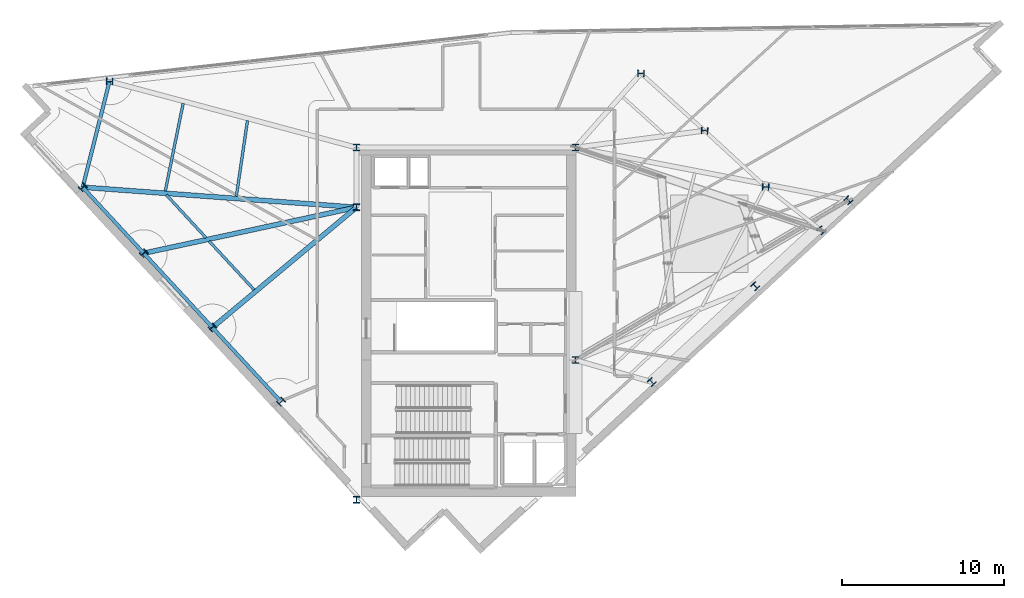
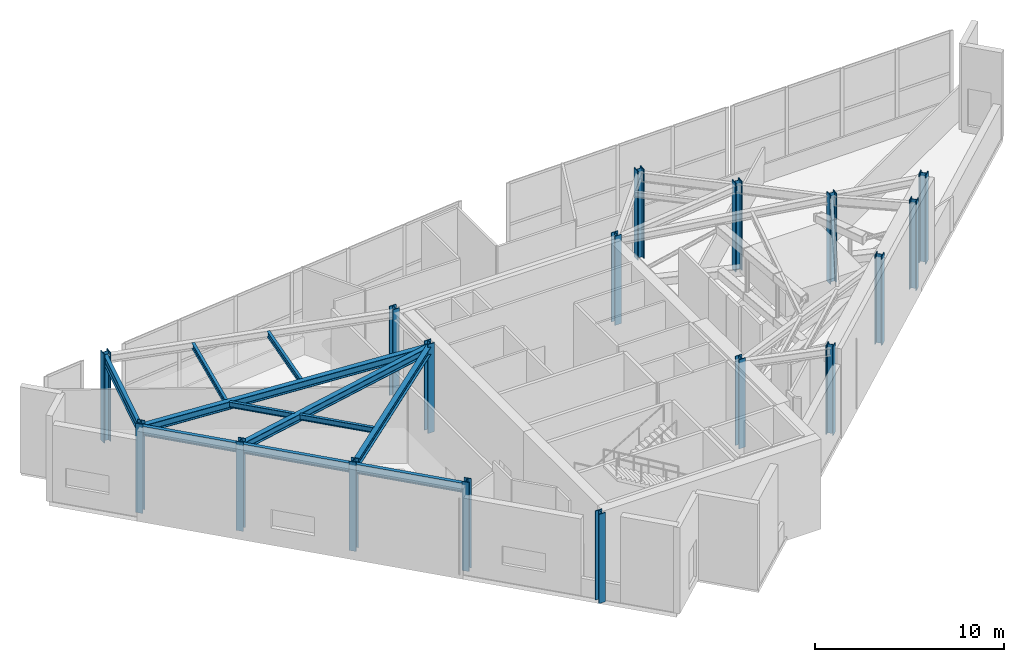
# One storey, part 1 of 15: 17 columns, 11 beams.
"""IFC4 building model written with IfcOpenShell, lengths in metres."""

from ifc_helpers import new_model, si_unit, direction, frame, origin, origin_2d, place, context, subcontext, project, spatial, i_section, extrude, material, material_profile, profile_set, type_object, element, save


model = new_model("IFC4")

# Units and contexts
model_context = context("Model", 3, precision=1e-05, world=origin(), true_north=direction((0.0, 1.0)))
body_context = subcontext(model_context, "Body", "Model", "MODEL_VIEW")
ifc_project = project(units=[si_unit("LENGTHUNIT", "METRE"), si_unit("AREAUNIT", "SQUARE_METRE"), si_unit("VOLUMEUNIT", "CUBIC_METRE"), si_unit("PLANEANGLEUNIT", "RADIAN"), si_unit("MASSUNIT", "GRAM", prefix="KILO")], contexts=[model_context])

# Site, building, storey
site_placement = place(None, origin())
site = spatial("IfcSite", under=ifc_project, at=site_placement, CompositionType="ELEMENT")
building_placement = place(site_placement, origin())
building = spatial("IfcBuilding", under=site, at=building_placement, Name="Narakoshi Arena Tower", CompositionType="ELEMENT")
storey_placement = place(building_placement, frame((0.0, 0.0, 292.419921875)))
storey = spatial("IfcBuildingStorey", under=building, at=storey_placement, Name="L80", CompositionType="ELEMENT", Elevation=292.419921875)

# Columns
ifc_material = material(Name="Structural steel S355J2", Category="steel")
ifc_material_profile_1 = material_profile(ifc_material, i_section(OverallWidth=0.406005859375, OverallDepth=0.416015625, WebThickness=0.02978515625, FlangeThickness=0.048095703125, FilletRadius=0.014892578125, at=origin_2d()), Name="HD400x382")
ifc_profile_set_1 = profile_set([ifc_material_profile_1], Name="Structural steel S355J2")
column_type = type_object("IfcColumnType", Name="COL-STL382", PredefinedType="COLUMN", material=ifc_profile_set_1)
for number, where, z_axis, x_axis, name in (
    (1, (72.0, 34.699951171875, 0.0), (0.0, 0.0, 1.0), (1.0, 0.0, 0.0), "L80 Core Structural Column CC1"),
    (2, (85.550048828125, 43.35009765625, 0.0), (0.0, 0.0, 1.0), (1.0, 0.0, 0.0), "L80 Core Structural Column CC3"),
    (3, (72.0, 52.800048828125, 0.0), (0.0, 0.0, 1.0), (1.0, 0.0, 0.0), "L80 Core Structural Column CC4"),
    (4, (72.0, 56.5, 0.0), (0.0, 0.0, 1.0), (1.0, 0.0, 0.0), "L80 Core Structural Column CC5"),
    (5, (85.550048828125, 56.5, 0.0), (0.0, 0.0, 1.0), (1.0, 0.0, 0.0), "L80 Core Structural Column CC6"),
    (6, (90.2734375, 41.992919921875, 0.0), (0.0, 0.0, 1.0), (0.734322509436, 0.678800745533, 0.0), "L80 Tower Perimeter Column TC01"),
    (7, (96.6787109375, 47.913818359375, 0.0), (0.0, 0.0, 1.0), (0.734322509436, 0.678800745533, 0.0), "L80 Tower Perimeter Column TC02"),
    (8, (102.443359375, 53.242431640625, 0.0), (0.0, 0.0, 1.0), (0.734322509436, 0.678800745533, 0.0), "L80 Tower Perimeter Column TC03"),
    (9, (100.78173828125, 51.379638671875, 0.0), (0.0, 0.0, 1.0), (0.734322509436, 0.678800745533, 0.0), "L80 Tower Perimeter Column TC04"),
    (10, (97.3291015625, 54.0654296875, 0.0), (0.0, 0.0, 1.0), (0.039259815759, 0.999229036241, 0.0), "L80 Tower Perimeter Column TC05"),
    (11, (93.55029296875, 57.543701171875, 0.0), (0.0, 0.0, 1.0), (0.039259815759, 0.999229036241, 0.0), "L80 Tower Perimeter Column TC06"),
    (12, (89.611328125, 61.09033203125, 0.0), (0.0, 0.0, 1.0), (0.039259815759, 0.999229036241, 0.0), "L80 Tower Perimeter Column TC07"),
    (13, (56.717041015625, 60.59814453125, 0.0), (0.0, 0.0, 1.0), (0.039259815759, 0.999229036241, 0.0), "L80 Tower Perimeter Column TC10"),
    (14, (55.05810546875, 54.04638671875, 0.0), (0.0, 0.0, 1.0), (-0.678800745533, 0.734322509436, 0.0), "L80 Tower Perimeter Column TC13"),
    (15, (58.8349609375, 49.960693359375, 0.0), (0.0, 0.0, 1.0), (-0.678800745533, 0.734322509436, 0.0), "L80 Tower Perimeter Column TC14"),
    (16, (63.083984375, 45.3642578125, 0.0), (0.0, 0.0, 1.0), (-0.678800745533, 0.734322509436, 0.0), "L80 Tower Perimeter Column TC15"),
    (17, (67.332763671875, 40.767578125, 0.0), (0.0, 0.0, 1.0), (-0.678800745533, 0.734322509436, 0.0), "L80 Tower Perimeter Column TC16"),
):
    element("IfcColumn", number, at=place(storey_placement, frame(where, z_axis=z_axis, x_axis=x_axis)), inside=storey, type_object=column_type, Name=name, PredefinedType="COLUMN", context=body_context, shape_type="SweptSolid", body=[
        extrude(i_section(OverallWidth=0.406005859375, OverallDepth=0.416015625, WebThickness=0.02978515625, FlangeThickness=0.048095703125, FilletRadius=0.014892578125, at=origin_2d()), origin(), (0.0, 0.0, 1.0), 5.760009765625),
    ])

# Beams
ifc_material_profile_2 = material_profile(ifc_material, i_section(OverallWidth=0.219970703125, OverallDepth=0.60009765625, WebThickness=0.011962890625, FlangeThickness=0.01904296875, FilletRadius=0.02392578125, at=origin_2d()), Name="IPE600")
ifc_profile_set_2 = profile_set([ifc_material_profile_2], Name="Structural steel S355J2")
beam_type_1 = type_object("IfcBeamType", Name="BM-EDGE-600", PredefinedType="BEAM", material=ifc_profile_set_2)
beam_1_placement = place(storey_placement, frame((56.717041015625, 60.59814453125, 5.260009765625), z_axis=(-0.245458392699, -0.969407126781, 0.0), x_axis=(0.969407126781, -0.245458392699, 0.0)))
element("IfcBeam", 18, at=beam_1_placement, inside=storey, type_object=beam_type_1, Name="L80 Perimeter Edge Girder 08", PredefinedType="BEAM", context=body_context, shape_type="SweptSolid", body=[
    extrude(i_section(OverallWidth=0.219970703125, OverallDepth=0.60009765625, WebThickness=0.011962890625, FlangeThickness=0.01904296875, FilletRadius=0.02392578125, at=origin_2d()), origin(), (0.0, 0.0, 1.0), 6.758544921875),
])
beam_2_placement = place(storey_placement, frame((55.05810546875, 54.04638671875, 5.260009765625), z_axis=(0.678808438166, -0.734315398365, 0.0), x_axis=(0.734315398365, 0.678808438166, 0.0)))
element("IfcBeam", 19, at=beam_2_placement, inside=storey, type_object=beam_type_1, Name="L80 Perimeter Edge Girder 09", PredefinedType="BEAM", context=body_context, shape_type="SweptSolid", body=[
    extrude(i_section(OverallWidth=0.219970703125, OverallDepth=0.60009765625, WebThickness=0.011962890625, FlangeThickness=0.01904296875, FilletRadius=0.02392578125, at=origin_2d()), origin(), (0.0, 0.0, 1.0), 5.56396484375),
])
for number, where, z_axis, x_axis, name in (
    (20, (58.8349609375, 49.960693359375, 5.260009765625), (0.678811265787, -0.734312784473, 0.0), (0.734312784473, 0.678811265787, 0.0), "L80 Perimeter Edge Girder 10"),
    (21, (63.083984375, 45.3642578125, 5.260009765625), (0.678770792221, -0.734350196859, 0.0), (0.734350196859, 0.678770792221, 0.0), "L80 Perimeter Edge Girder 11"),
):
    element("IfcBeam", number, at=place(storey_placement, frame(where, z_axis=z_axis, x_axis=x_axis)), inside=storey, type_object=beam_type_1, Name=name, PredefinedType="BEAM", context=body_context, shape_type="SweptSolid", body=[
        extrude(i_section(OverallWidth=0.219970703125, OverallDepth=0.60009765625, WebThickness=0.011962890625, FlangeThickness=0.01904296875, FilletRadius=0.02392578125, at=origin_2d()), origin(), (0.0, 0.0, 1.0), 6.259521484375),
    ])
ifc_material_profile_3 = material_profile(ifc_material, i_section(OverallWidth=0.300048828125, OverallDepth=0.5, WebThickness=0.014404296875, FlangeThickness=0.028076171875, FilletRadius=0.027099609375, at=origin_2d()), Name="HE500B")
ifc_profile_set_3 = profile_set([ifc_material_profile_3], Name="Structural steel S355J2")
beam_type_2 = type_object("IfcBeamType", Name="BM-PRI-500", PredefinedType="BEAM", material=ifc_profile_set_3)
beam_3_placement = place(storey_placement, frame((72.0, 52.800048828125, 5.31005859375), z_axis=(-0.997304997013, 0.073367178859, 0.0), x_axis=(-0.073367178859, -0.997304997013, 0.0)))
element("IfcBeam", 22, at=beam_3_placement, inside=storey, type_object=beam_type_2, Name="L80 Radial Primary Floor Girder 09", PredefinedType="BEAM", context=body_context, shape_type="SweptSolid", body=[
    extrude(i_section(OverallWidth=0.300048828125, OverallDepth=0.5, WebThickness=0.014404296875, FlangeThickness=0.028076171875, FilletRadius=0.027099609375, at=origin_2d()), origin(), (0.0, 0.0, 1.0), 16.98779296875),
])
beam_4_placement = place(storey_placement, frame((72.0, 52.800048828125, 5.31005859375), z_axis=(-0.977523534755, -0.210826324256, 0.0), x_axis=(0.210826324256, -0.977523534755, 0.0)))
element("IfcBeam", 23, at=beam_4_placement, inside=storey, type_object=beam_type_2, Name="L80 Radial Primary Floor Girder 10", PredefinedType="BEAM", context=body_context, shape_type="SweptSolid", body=[
    extrude(i_section(OverallWidth=0.300048828125, OverallDepth=0.5, WebThickness=0.014404296875, FlangeThickness=0.028076171875, FilletRadius=0.027099609375, at=origin_2d()), origin(), (0.0, 0.0, 1.0), 13.4677734375),
])
beam_5_placement = place(storey_placement, frame((72.0, 52.800048828125, 5.31005859375), z_axis=(-0.767976460513, -0.640478068397, 0.0), x_axis=(0.640478068397, -0.767976460513, 0.0)))
element("IfcBeam", 24, at=beam_5_placement, inside=storey, type_object=beam_type_2, Name="L80 Radial Primary Floor Girder 11", PredefinedType="BEAM", context=body_context, shape_type="SweptSolid", body=[
    extrude(i_section(OverallWidth=0.300048828125, OverallDepth=0.5, WebThickness=0.014404296875, FlangeThickness=0.028076171875, FilletRadius=0.027099609375, at=origin_2d()), origin(), (0.0, 0.0, 1.0), 11.60986328125),
])
ifc_material_profile_4 = material_profile(ifc_material, i_section(OverallWidth=0.169921875, OverallDepth=0.360107421875, WebThickness=0.008056640625, FlangeThickness=0.0126953125, FilletRadius=0.01806640625, at=origin_2d()), Name="IPE360")
ifc_profile_set_4 = profile_set([ifc_material_profile_4], Name="Structural steel S355J2")
beam_type_3 = type_object("IfcBeamType", Name="BM-SEC-360", PredefinedType="JOIST", material=ifc_profile_set_4)
beam_6_placement = place(storey_placement, frame((65.255859375, 58.169677734375, 5.380126953125), z_axis=(-0.145762470348, -0.989319615816, 0.0), x_axis=(0.989319615816, -0.145762470348, 0.0)))
element("IfcBeam", 25, at=beam_6_placement, inside=storey, type_object=beam_type_3, Name="L80 Composite Secondary Floor Joist 06", PredefinedType="JOIST", context=body_context, shape_type="SweptSolid", body=[
    extrude(i_section(OverallWidth=0.169921875, OverallDepth=0.360107421875, WebThickness=0.008056640625, FlangeThickness=0.0126953125, FilletRadius=0.01806640625, at=origin_2d()), origin(), (0.0, 0.0, 1.0), 4.73828125),
])
beam_7_placement = place(storey_placement, frame((61.27490234375, 59.236328125, 5.380126953125), z_axis=(-0.199731342868, -0.979850698156, 0.0), x_axis=(0.979850698156, -0.199731342868, 0.0)))
element("IfcBeam", 26, at=beam_7_placement, inside=storey, type_object=beam_type_3, Name="L80 Composite Secondary Floor Joist 07", PredefinedType="JOIST", context=body_context, shape_type="SweptSolid", body=[
    extrude(i_section(OverallWidth=0.169921875, OverallDepth=0.360107421875, WebThickness=0.008056640625, FlangeThickness=0.0126953125, FilletRadius=0.01806640625, at=origin_2d()), origin(), (0.0, 0.0, 1.0), 5.543212890625),
])
beam_8_placement = place(storey_placement, frame((60.232421875, 53.5732421875, 5.380126953125), z_axis=(0.678811454839, -0.73431260971, 0.0), x_axis=(0.73431260971, 0.678811454839, 0.0)))
element("IfcBeam", 27, at=beam_8_placement, inside=storey, type_object=beam_type_3, Name="L80 Composite Secondary Floor Joist 08", PredefinedType="JOIST", context=body_context, shape_type="SweptSolid", body=[
    extrude(i_section(OverallWidth=0.169921875, OverallDepth=0.360107421875, WebThickness=0.008056640625, FlangeThickness=0.0126953125, FilletRadius=0.01806640625, at=origin_2d()), origin(), (0.0, 0.0, 1.0), 3.624755859375),
])
beam_9_placement = place(storey_placement, frame((62.876220703125, 50.71337890625, 5.380126953125), z_axis=(0.678770736096, -0.734350248736, 0.0), x_axis=(0.734350248736, 0.678770736096, 0.0)))
element("IfcBeam", 28, at=beam_9_placement, inside=storey, type_object=beam_type_3, Name="L80 Composite Secondary Floor Joist 09", PredefinedType="JOIST", context=body_context, shape_type="SweptSolid", body=[
    extrude(i_section(OverallWidth=0.169921875, OverallDepth=0.360107421875, WebThickness=0.008056640625, FlangeThickness=0.0126953125, FilletRadius=0.01806640625, at=origin_2d()), origin(), (0.0, 0.0, 1.0), 4.111572265625),
])

save(model, "model.ifc")
